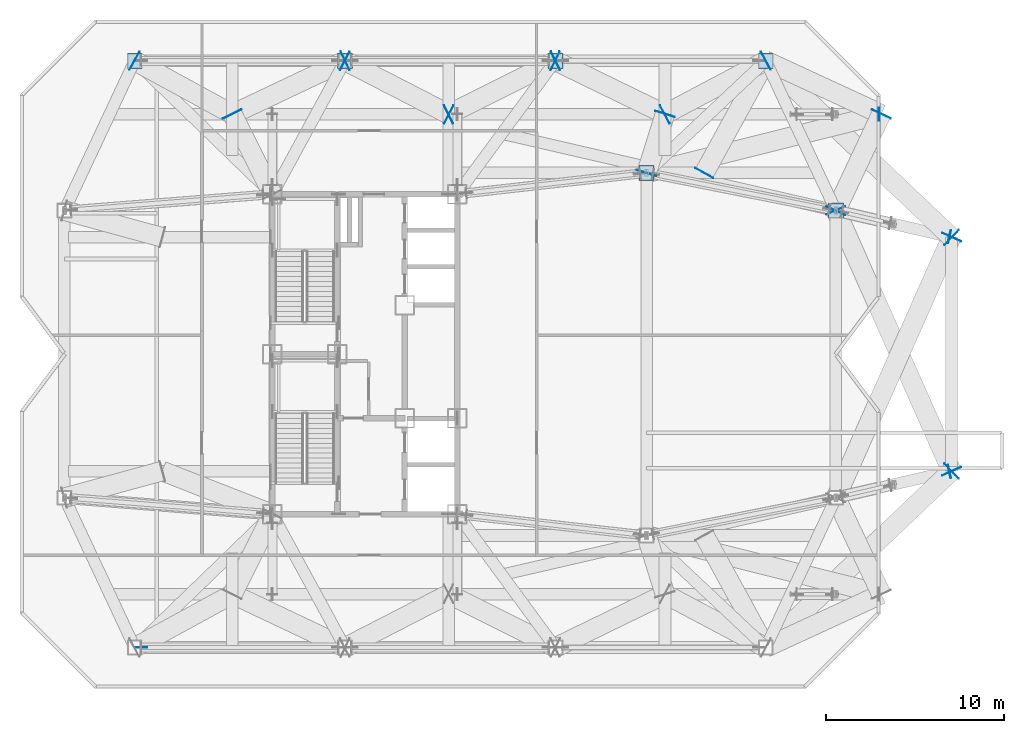
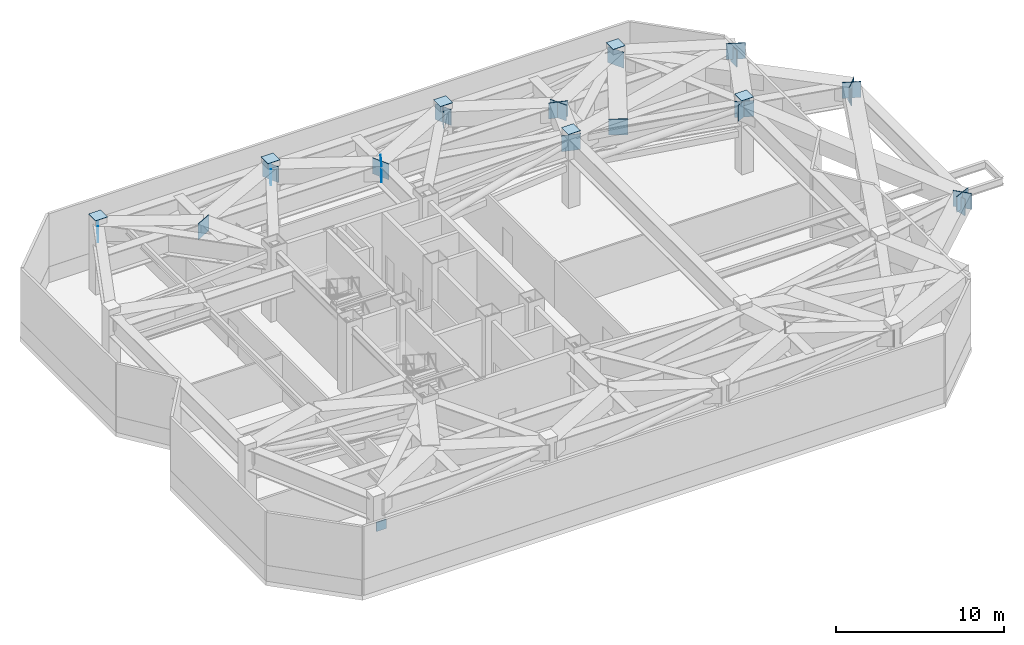
# One storey, part 8 of 19: 30 plates.
"""IFC4 building model written with IfcOpenShell, lengths in metres."""

from ifc_helpers import new_model, si_unit, direction, frame, origin, origin_2d, place, context, subcontext, project, spatial, rectangle, extrude, material, layer, layer_set, type_object, element, save


model = new_model("IFC4")

# Units and contexts
model_context = context("Model", 3, precision=1e-05, world=origin(), true_north=direction((0.0, 1.0)))
body_context = subcontext(model_context, "Body", "Model", "MODEL_VIEW")
ifc_project = project(units=[si_unit("LENGTHUNIT", "METRE"), si_unit("AREAUNIT", "SQUARE_METRE"), si_unit("VOLUMEUNIT", "CUBIC_METRE"), si_unit("PLANEANGLEUNIT", "RADIAN"), si_unit("MASSUNIT", "GRAM", prefix="KILO")], contexts=[model_context])

# Site, building, storey
site_placement = place(None, origin())
site = spatial("IfcSite", under=ifc_project, at=site_placement, CompositionType="ELEMENT")
building_placement = place(site_placement, origin())
building = spatial("IfcBuilding", under=site, at=building_placement, Name="Khamvora Tower", CompositionType="ELEMENT")
storey_placement = place(building_placement, frame((0.0, 0.0, 211.800048828125)))
storey = spatial("IfcBuildingStorey", under=building, at=storey_placement, Name="L54", CompositionType="ELEMENT", Elevation=211.800048828125)

# Plates
ifc_material_1 = material(Name="Steel S355", Category="steel")
ifc_layer_1 = layer(ifc_material_1, 0.02490234375)
ifc_layer_set_1 = layer_set([ifc_layer_1], Name="Steel S355")
plate_type_1 = type_object("IfcPlateType", Name="PL-CAP-25", PredefinedType="SHEET", material=ifc_layer_set_1)
for number, where, z_axis, x_axis, name in (
    (1, (21.25, 44.5, 5.37548828125), (0.0, 0.0, 1.0), (1.0, 0.0, 0.0), "L54 hollow section steel end cap plate 0202"),
    (2, (33.080078125, 44.5, 5.37548828125), (0.0, 0.0, 1.0), (1.0, 0.0, 0.0), "L54 hollow section steel end cap plate 0205"),
    (3, (44.919921875, 44.5, 5.37548828125), (0.0, 0.0, 1.0), (1.0, 0.0, 0.0), "L54 hollow section steel end cap plate 0208"),
    (4, (56.75, 44.5, 5.37548828125), (0.0, 0.0, 1.0), (1.0, 0.0, 0.0), "L54 hollow section steel end cap plate 0211"),
    (5, (60.699951171875, 36.080078125, 5.37548828125), (0.0, 0.0, 1.0), (1.0, 0.0, 0.0), "L54 hollow section steel end cap plate 0223"),
    (6, (50.050048828125, 38.199951171875, 5.37548828125), (0.0, 0.0, 1.0), (1.0, 0.0, 0.0), "L54 hollow section steel end cap plate 0229"),
):
    element("IfcPlate", number, at=place(storey_placement, frame(where, z_axis=z_axis, x_axis=x_axis)), inside=storey, type_object=plate_type_1, Name=name, PredefinedType="SHEET", context=body_context, shape_type="SweptSolid", body=[
        extrude(rectangle(XDim=0.830078125, YDim=0.830078125, at=origin_2d()), origin(), (0.0, 0.0, 1.0), 0.02490234375),
    ])
for number, where, z_axis, x_axis, name in (
    (7, (26.743896484375, 41.510986328125, 3.85009765625), (0.0, 0.0, 1.0), (-0.44721279659, 0.894427590455, 0.0), "L54 hollow section steel end cap plate 1100"),
    (8, (21.239013671875, 44.506103515625, 3.85009765625), (0.0, 0.0, 1.0), (0.877899414566, -0.478845087586, 0.0), "L54 hollow section steel end cap plate 1101"),
    (9, (33.093994140625, 44.5048828125, 3.85009765625), (0.0, 0.0, 1.0), (-0.903731681837, -0.428099342728, 0.0), "L54 hollow section steel end cap plate 1102"),
    (10, (33.072021484375, 44.506103515625, 3.85009765625), (0.0, 0.0, 1.0), (0.889312638169, -0.457299717465, 0.0), "L54 hollow section steel end cap plate 1103"),
    (11, (38.927978515625, 41.493896484375, 3.85009765625), (0.0, 0.0, 1.0), (0.889312638169, -0.457299717465, 0.0), "L54 hollow section steel end cap plate 1104"),
    (12, (44.927978515625, 44.506103515625, 3.85009765625), (0.0, 0.0, 1.0), (-0.894427590455, -0.44721279659, 0.0), "L54 hollow section steel end cap plate 1105"),
    (13, (38.906005859375, 41.493896484375, 3.85009765625), (0.0, 0.0, 1.0), (-0.894427590455, -0.44721279659, 0.0), "L54 hollow section steel end cap plate 1106"),
    (14, (50.0458984375, 38.18798828125, 3.85009765625), (0.0, 0.0, 1.0), (0.298740994063, 0.95433422786, 0.0), "L54 hollow section steel end cap plate 1107"),
    (15, (51.0869140625, 41.511962890625, 3.85009765625), (0.0, 0.0, 1.0), (0.298740994063, 0.95433422786, 0.0), "L54 hollow section steel end cap plate 1108"),
    (16, (56.760986328125, 44.506103515625, 3.85009765625), (0.0, 0.0, 1.0), (-0.883798295599, -0.46786811464, 0.0), "L54 hollow section steel end cap plate 1109"),
    (17, (51.072021484375, 41.493896484375, 3.85009765625), (0.0, 0.0, 1.0), (-0.883798295599, -0.46786811464, 0.0), "L54 hollow section steel end cap plate 1110"),
    (18, (44.906005859375, 44.5048828125, 3.85009765625), (0.0, 0.0, 1.0), (0.899214438222, -0.437508164602, 0.0), "L54 hollow section steel end cap plate 1111"),
    (19, (60.695068359375, 36.06396484375, 3.85009765625), (0.0, 0.0, 1.0), (0.425400241153, 0.905005323093, 0.0), "L54 hollow section steel end cap plate 1112"),
    (20, (63.2548828125, 41.510986328125, 3.85009765625), (0.0, 0.0, 1.0), (0.425400241153, 0.905005323093, 0.0), "L54 hollow section steel end cap plate 1113"),
    (21, (67.208984375, 21.43408203125, 3.85009765625), (0.0, 0.0, 1.0), (0.725085970093, 0.688658359402, 0.0), "L54 hollow section steel end cap plate 1118"),
    (22, (60.695068359375, 36.0859375, 3.85009765625), (0.0, 0.0, 1.0), (0.405556420337, -0.914070013688, 0.0), "L54 hollow section steel end cap plate 1119"),
    (23, (67.205078125, 21.4140625, 3.85009765625), (0.0, 0.0, 1.0), (0.405556420337, -0.914070013688, 0.0), "L54 hollow section steel end cap plate 1120"),
    (24, (67.208984375, 34.56591796875, 3.85009765625), (0.0, 0.0, 1.0), (0.725085970093, -0.688658359402, 0.0), "L54 hollow section steel end cap plate 1121"),
    (25, (67.205078125, 34.5859375, 3.85009765625), (0.0, 0.0, 1.0), (0.405556420337, 0.914070013688, 0.0), "L54 hollow section steel end cap plate 1123"),
    (26, (53.2939453125, 38.18896484375, 3.85009765625), (0.0, 0.0, 1.0), (-0.480315349341, -0.877095870009, 0.0), "L54 hollow section steel end cap plate 1125"),
):
    element("IfcPlate", number, at=place(storey_placement, frame(where, z_axis=z_axis, x_axis=x_axis)), inside=storey, type_object=plate_type_1, Name=name, PredefinedType="SHEET", context=body_context, shape_type="SweptSolid", body=[
        extrude(rectangle(XDim=0.02490234375, YDim=1.159912109375, at=origin_2d()), origin(), (0.0, 0.0, 1.0), 1.159912109375),
    ])
ifc_material_2 = material(Name="Steel S460", Category="steel")
ifc_layer_2 = layer(ifc_material_2, 0.044921875)
ifc_layer_set_2 = layer_set([ifc_layer_2], Name="Steel S460")
plate_type_2 = type_object("IfcPlateType", Name="PLT-CAP-45", PredefinedType="SHEET", material=ifc_layer_set_2)
for number, where, z_axis, x_axis, name in (
    (27, (63.1298828125, 41.5, 3.52978515625), (0.0, 0.0, 1.0), (1.0, 0.0, 0.0), "L54 transfer box end cap plate N4"),
    (28, (67.0830078125, 21.39794921875, 3.52978515625), (0.0, 0.0, 1.0), (0.974391195694, 0.2248595067, 0.0), "L54 transfer box end cap plate E1"),
    (29, (67.0830078125, 34.60205078125, 3.52978515625), (0.0, 0.0, 1.0), (0.974391195694, -0.2248595067, 0.0), "L54 transfer box end cap plate E2"),
):
    element("IfcPlate", number, at=place(storey_placement, frame(where, z_axis=z_axis, x_axis=x_axis)), inside=storey, type_object=plate_type_2, Name=name, PredefinedType="SHEET", context=body_context, shape_type="SweptSolid", body=[
        extrude(rectangle(XDim=0.044921875, YDim=0.75, at=origin_2d()), origin(), (0.0, 0.0, 1.0), 1.199951171875),
    ])
ifc_layer_3 = layer(ifc_material_2, 0.050048828125)
ifc_layer_set_3 = layer_set([ifc_layer_3], Name="Steel S460")
plate_type_3 = type_object("IfcPlateType", Name="PLT-GUS-50", PredefinedType="SHEET", material=ifc_layer_set_3)
plate_placement = place(storey_placement, frame((21.625, 11.5, 2.47900390625), z_axis=(0.0, 0.0, 1.0), x_axis=(1.0, 0.0, 0.0)))
element("IfcPlate", 30, at=plate_placement, inside=storey, type_object=plate_type_3, Name="L54 brace connection node gusset plate 0345", PredefinedType="SHEET", context=body_context, shape_type="SweptSolid", body=[
    extrude(rectangle(XDim=0.679931640625, YDim=0.050048828125, at=origin_2d()), origin(), (0.0, 0.0, 1.0), 0.679931640625),
])

save(model, "model.ifc")
